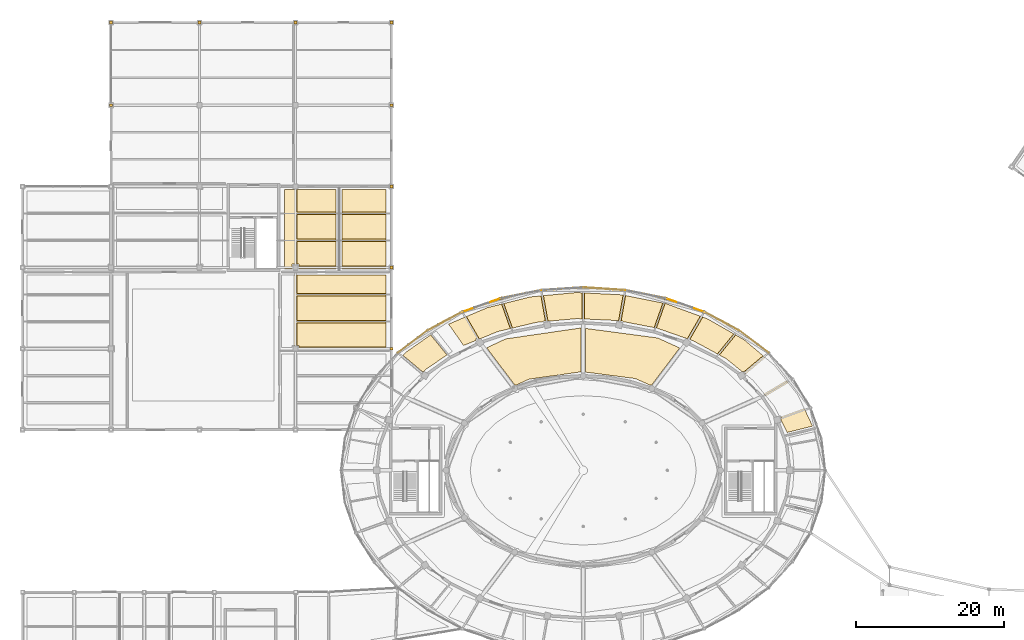
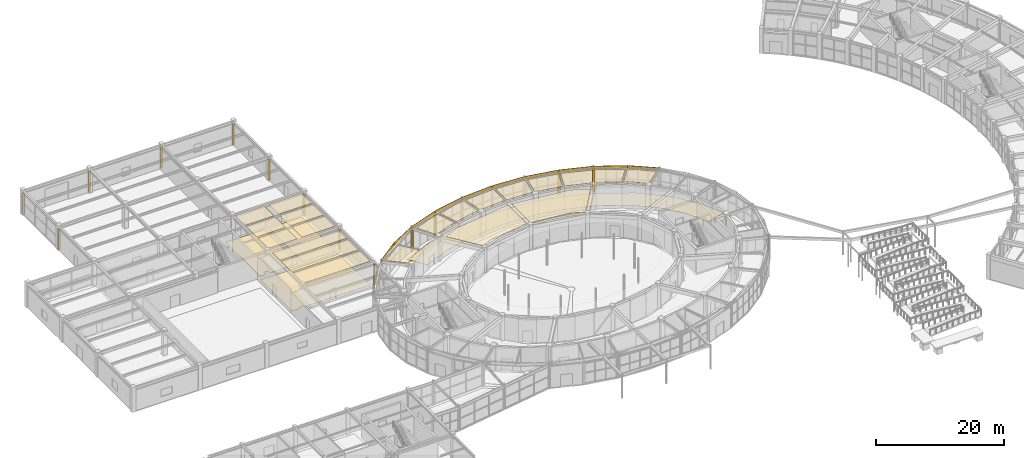
# One storey, part 105 of 108: 47 coverings.
"""IFC4 building model written with IfcOpenShell, lengths in metres."""

from ifc_helpers import new_model, si_unit, direction, frame, frame_2d, origin, origin_2d, place, context, subcontext, project, spatial, polyline, rectangle, outline, extrude, material, layer, layer_set, type_object, element, save


model = new_model("IFC4")

# Units and contexts
model_context = context("Model", 3, precision=1e-05, world=origin(), true_north=direction((0.0, 1.0)))
body_context = subcontext(model_context, "Body", "Model", "MODEL_VIEW")
ifc_project = project(units=[si_unit("LENGTHUNIT", "METRE"), si_unit("AREAUNIT", "SQUARE_METRE"), si_unit("VOLUMEUNIT", "CUBIC_METRE"), si_unit("PLANEANGLEUNIT", "RADIAN"), si_unit("MASSUNIT", "GRAM", prefix="KILO")], contexts=[model_context])

# Site, building, storey
site_placement = place(None, origin())
site = spatial("IfcSite", under=ifc_project, at=site_placement, CompositionType="ELEMENT")
building_placement = place(site_placement, origin())
building = spatial("IfcBuilding", under=site, at=building_placement, Name="Tarnveldt Headland Concert Hall", CompositionType="ELEMENT")
storey_placement = place(building_placement, origin())
storey = spatial("IfcBuildingStorey", under=building, at=storey_placement, Name="L00", CompositionType="ELEMENT", Elevation=0.0)

# Coverings
ifc_material_1 = material(Name="Micro-perforated mvule acoustic ceiling panel", Category="timber")
ifc_layer_1 = layer(ifc_material_1, 0.050048828125, Name="Micro-perforated mvule acoustic ceiling panel", Category="timber")
ifc_layer_set_1 = layer_set([ifc_layer_1], Name="Micro-perforated mvule acoustic ceiling panel")
covering_type_1 = type_object("IfcCoveringType", Name="CV-CEIL50", PredefinedType="CEILING", material=ifc_layer_set_1)
covering_1_placement = place(storey_placement, frame((0.0, 0.0, 4.469970703125)))
element("IfcCovering", 1, at=covering_1_placement, inside=storey, type_object=covering_type_1, Name="Acoustic mvule ceiling L00-11-11", PredefinedType="CEILING", context=body_context, shape_type="SweptSolid", body=[
    extrude(outline(polyline([(90.525146484375, 66.949462890625), (84.0, 67.794677734375), (84.0, 67.800048828125), (83.95947265625, 67.800048828125), (83.804931640625, 67.820068359375), (83.804931640625, 73.74560546875), (93.58447265625, 72.45263671875), (96.5703125, 71.093994140625), (92.794921875, 66.085205078125), (92.482421875, 66.085205078125), (90.575439453125, 66.935302734375), (90.55908203125, 66.941650390625), (90.54248046875, 66.9462890625), (90.525146484375, 66.949462890625)])), origin(), (0.0, 0.0, 1.0), 0.050048828125),
])
covering_2_placement = place(storey_placement, frame((0.0, 0.0, 4.469970703125)))
element("IfcCovering", 2, at=covering_2_placement, inside=storey, type_object=covering_type_1, Name="Acoustic mvule ceiling L00-11-12", PredefinedType="CEILING", context=body_context, shape_type="SweptSolid", body=[
    extrude(outline(polyline([(76.114990234375, 66.847412109375), (74.46875, 66.085205078125), (74.205078125, 66.085205078125), (70.413818359375, 71.114990234375), (72.973388671875, 72.324951171875), (83.195068359375, 73.80810546875), (83.195068359375, 67.861572265625), (76.165283203125, 66.8623046875), (76.148193359375, 66.859130859375), (76.13134765625, 66.85400390625), (76.114990234375, 66.847412109375)])), origin(), (0.0, 0.0, 1.0), 0.050048828125),
])
covering_3_placement = place(storey_placement, frame((0.0, 0.0, 4.469970703125)))
element("IfcCovering", 3, at=covering_3_placement, inside=storey, type_object=covering_type_1, Name="Acoustic mvule ceiling L00-14-27", PredefinedType="CEILING", context=body_context, shape_type="SweptSolid", body=[
    extrude(outline(polyline([(61.85107421875, 67.880859375), (61.697509765625, 67.880859375), (59.072998046875, 70.082763671875), (59.612548828125, 70.62158203125), (62.81494140625, 72.8681640625), (65.04150390625, 70.139892578125), (62.29443359375, 68.2998046875), (62.281982421875, 68.290771484375), (62.2705078125, 68.280517578125), (61.85107421875, 67.880859375)])), origin(), (0.0, 0.0, 1.0), 0.050048828125),
])
covering_4_placement = place(storey_placement, frame((0.0, 0.0, 4.469970703125)))
element("IfcCovering", 4, at=covering_4_placement, inside=storey, type_object=covering_type_1, Name="Acoustic mvule ceiling L00-15-31", PredefinedType="CEILING", context=body_context, shape_type="SweptSolid", body=[
    extrude(outline(polyline([(105.04931640625, 67.880859375), (102.87255859375, 69.632568359375), (102.859619140625, 69.64208984375), (102.845703125, 69.650390625), (101.95458984375, 70.13525390625), (104.1728515625, 72.853515625), (105.30126953125, 72.210205078125), (107.8759765625, 70.039794921875), (105.302490234375, 67.880859375), (105.04931640625, 67.880859375)])), origin(), (0.0, 0.0, 1.0), 0.050048828125),
])
covering_5_placement = place(storey_placement, frame((0.0, 0.0, 4.469970703125)))
element("IfcCovering", 5, at=covering_5_placement, inside=storey, type_object=covering_type_1, Name="Acoustic mvule ceiling L00-15-32", PredefinedType="CEILING", context=body_context, shape_type="SweptSolid", body=[
    extrude(outline(polyline([(103.899658203125, 73.009033203125), (101.677490234375, 70.2861328125), (98.46728515625, 72.033203125), (98.454345703125, 72.039794921875), (98.44091796875, 72.044921875), (98.02490234375, 72.19091796875), (98.02490234375, 72.345458984375), (98.005126953125, 72.345458984375), (99.695556640625, 75.273193359375), (100.348388671875, 75.033203125), (103.899658203125, 73.009033203125)])), origin(), (0.0, 0.0, 1.0), 0.050048828125),
])
covering_6_placement = place(storey_placement, frame((0.0, 0.0, 4.469970703125)))
element("IfcCovering", 6, at=covering_6_placement, inside=storey, type_object=covering_type_1, Name="Acoustic mvule ceiling L00-15-33", PredefinedType="CEILING", context=body_context, shape_type="SweptSolid", body=[
    extrude(outline(polyline([(99.3623046875, 75.39599609375), (97.60107421875, 72.345458984375), (97.585205078125, 72.345458984375), (93.505615234375, 73.77783203125), (93.492919921875, 73.781982421875), (93.479736328125, 73.784912109375), (93.4189453125, 73.796630859375), (94.595703125, 77.120849609375), (94.7626953125, 77.08740234375), (99.3623046875, 75.39599609375)])), origin(), (0.0, 0.0, 1.0), 0.050048828125),
])
covering_7_placement = place(storey_placement, frame((0.0, 0.0, 4.469970703125)))
element("IfcCovering", 7, at=covering_7_placement, inside=storey, type_object=covering_type_1, Name="Acoustic mvule ceiling L00-15-34", PredefinedType="CEILING", context=body_context, shape_type="SweptSolid", body=[
    extrude(outline(polyline([(88.88720703125, 74.665771484375), (88.88720703125, 74.72119140625), (88.63232421875, 74.72119140625), (89.2451171875, 78.19580078125), (94.288818359375, 77.1826171875), (93.111083984375, 73.855712890625), (88.88720703125, 74.665771484375)])), origin(), (0.0, 0.0, 1.0), 0.050048828125),
])
covering_8_placement = place(storey_placement, frame((0.0, 0.0, 4.469970703125)))
element("IfcCovering", 8, at=covering_8_placement, inside=storey, type_object=covering_type_1, Name="Acoustic mvule ceiling L00-15-35", PredefinedType="CEILING", context=body_context, shape_type="SweptSolid", body=[
    extrude(outline(polyline([(88.90185546875, 78.2646484375), (88.28759765625, 74.78076171875), (88.17236328125, 74.802978515625), (88.147216796875, 74.805908203125), (83.655029296875, 75.02294921875), (83.655029296875, 78.552734375), (88.7529296875, 78.294677734375), (88.90185546875, 78.2646484375)])), origin(), (0.0, 0.0, 1.0), 0.050048828125),
])
covering_9_placement = place(storey_placement, frame((0.0, 0.0, 4.469970703125)))
element("IfcCovering", 9, at=covering_9_placement, inside=storey, type_object=covering_type_1, Name="Acoustic mvule ceiling L00-15-36", PredefinedType="CEILING", context=body_context, shape_type="SweptSolid", body=[
    extrude(outline(polyline([(78.1123046875, 78.1845703125), (82.5458984375, 78.60888671875), (83.344970703125, 78.568359375), (83.344970703125, 75.0380859375), (82.666259765625, 75.07080078125), (82.64111328125, 75.0703125), (78.821533203125, 74.72119140625), (78.72314453125, 74.72119140625), (78.1123046875, 78.1845703125)])), origin(), (0.0, 0.0, 1.0), 0.050048828125),
])
covering_10_placement = place(storey_placement, frame((0.0, 0.0, 4.469970703125)))
element("IfcCovering", 10, at=covering_10_placement, inside=storey, type_object=covering_type_1, Name="Acoustic mvule ceiling L00-15-37", PredefinedType="CEILING", context=body_context, shape_type="SweptSolid", body=[
    extrude(outline(polyline([(77.166259765625, 74.568115234375), (73.911376953125, 73.79248046875), (72.73681640625, 77.110595703125), (76.37451171875, 78.018310546875), (77.7626953125, 78.151123046875), (78.36767578125, 74.72119140625), (78.11279296875, 74.72119140625), (78.11279296875, 74.656494140625), (77.191650390625, 74.572265625), (77.166259765625, 74.568115234375)])), origin(), (0.0, 0.0, 1.0), 0.050048828125),
])
covering_11_placement = place(storey_placement, frame((0.0, 0.0, 4.469970703125)))
element("IfcCovering", 11, at=covering_11_placement, inside=storey, type_object=covering_type_1, Name="Acoustic mvule ceiling L00-15-38", PredefinedType="CEILING", context=body_context, shape_type="SweptSolid", body=[
    extrude(outline(polyline([(71.92626953125, 73.317626953125), (69.529541015625, 72.345458984375), (69.39892578125, 72.345458984375), (67.6630859375, 75.352294921875), (70.47119140625, 76.545166015625), (72.434814453125, 77.03515625), (73.60791015625, 73.720458984375), (71.952392578125, 73.325927734375), (71.939208984375, 73.322265625), (71.92626953125, 73.317626953125)])), origin(), (0.0, 0.0, 1.0), 0.050048828125),
])
covering_12_placement = place(storey_placement, frame((0.0, 0.0, 4.469970703125)))
element("IfcCovering", 12, at=covering_12_placement, inside=storey, type_object=covering_type_1, Name="Acoustic mvule ceiling L00-28-76", PredefinedType="CEILING", context=body_context, shape_type="SweptSolid", body=[
    extrude(outline(polyline([(44.72998046875, 71.449951171875), (44.72998046875, 74.501953125), (56.77001953125, 74.501953125), (56.77001953125, 71.22998046875), (44.949951171875, 71.22998046875), (44.949951171875, 71.449951171875), (44.72998046875, 71.449951171875)])), origin(), (0.0, 0.0, 1.0), 0.050048828125),
])
covering_13_placement = place(storey_placement, frame((0.0, 0.0, 4.469970703125)))
element("IfcCovering", 13, at=covering_13_placement, inside=storey, type_object=covering_type_1, Name="Acoustic mvule ceiling L00-28-77", PredefinedType="CEILING", context=body_context, shape_type="SweptSolid", body=[
    extrude(outline(polyline([(56.77001953125, 78.498046875), (44.72998046875, 78.498046875), (44.72998046875, 80.969970703125), (56.77001953125, 80.969970703125), (56.77001953125, 78.498046875)])), origin(), (0.0, 0.0, 1.0), 0.050048828125),
])
covering_14_placement = place(storey_placement, frame((0.0, 0.0, 4.469970703125)))
element("IfcCovering", 14, at=covering_14_placement, inside=storey, type_object=covering_type_1, Name="Acoustic mvule ceiling L00-28-78", PredefinedType="CEILING", context=body_context, shape_type="SweptSolid", body=[
    extrude(outline(polyline([(44.72998046875, 74.83203125), (44.72998046875, 78.16796875), (56.77001953125, 78.16796875), (56.77001953125, 74.83203125), (44.72998046875, 74.83203125)])), origin(), (0.0, 0.0, 1.0), 0.050048828125),
])
covering_15_placement = place(storey_placement, frame((0.0, 0.0, 4.469970703125)))
element("IfcCovering", 15, at=covering_15_placement, inside=storey, type_object=covering_type_1, Name="Acoustic mvule ceiling L00-33-93", PredefinedType="CEILING", context=body_context, shape_type="SweptSolid", body=[
    extrude(outline(polyline([(44.72998046875, 82.449951171875), (44.72998046875, 85.501953125), (49.969970703125, 85.501953125), (49.969970703125, 82.22998046875), (44.949951171875, 82.22998046875), (44.949951171875, 82.449951171875), (44.72998046875, 82.449951171875)])), origin(), (0.0, 0.0, 1.0), 0.050048828125),
])
covering_16_placement = place(storey_placement, frame((0.0, 0.0, 4.469970703125)))
element("IfcCovering", 16, at=covering_16_placement, inside=storey, type_object=covering_type_1, Name="Acoustic mvule ceiling L00-33-94", PredefinedType="CEILING", context=body_context, shape_type="SweptSolid", body=[
    extrude(outline(polyline([(44.949951171875, 92.570068359375), (49.969970703125, 92.570068359375), (49.969970703125, 89.498046875), (44.72998046875, 89.498046875), (44.72998046875, 92.550048828125), (44.949951171875, 92.550048828125), (44.949951171875, 92.570068359375)])), origin(), (0.0, 0.0, 1.0), 0.050048828125),
])
covering_17_placement = place(storey_placement, frame((0.0, 0.0, 4.469970703125)))
element("IfcCovering", 17, at=covering_17_placement, inside=storey, type_object=covering_type_1, Name="Acoustic mvule ceiling L00-33-95", PredefinedType="CEILING", context=body_context, shape_type="SweptSolid", body=[
    extrude(outline(polyline([(44.72998046875, 85.83203125), (44.72998046875, 89.16796875), (49.969970703125, 89.16796875), (49.969970703125, 85.83203125), (44.72998046875, 85.83203125)])), origin(), (0.0, 0.0, 1.0), 0.050048828125),
])
covering_18_placement = place(storey_placement, frame((0.0, 0.0, 4.469970703125)))
element("IfcCovering", 18, at=covering_18_placement, inside=storey, type_object=covering_type_1, Name="Acoustic mvule ceiling L00-34-96", PredefinedType="CEILING", context=body_context, shape_type="SweptSolid", body=[
    extrude(outline(polyline([(50.830078125, 89.498046875), (50.830078125, 92.570068359375), (56.77001953125, 92.570068359375), (56.77001953125, 89.498046875), (50.830078125, 89.498046875)])), origin(), (0.0, 0.0, 1.0), 0.050048828125),
])
covering_19_placement = place(storey_placement, frame((0.0, 0.0, 4.469970703125)))
element("IfcCovering", 19, at=covering_19_placement, inside=storey, type_object=covering_type_1, Name="Acoustic mvule ceiling L00-34-97", PredefinedType="CEILING", context=body_context, shape_type="SweptSolid", body=[
    extrude(outline(polyline([(50.830078125, 85.83203125), (50.830078125, 89.16796875), (56.77001953125, 89.16796875), (56.77001953125, 85.83203125), (50.830078125, 85.83203125)])), origin(), (0.0, 0.0, 1.0), 0.050048828125),
])
covering_20_placement = place(storey_placement, frame((0.0, 0.0, 4.469970703125)))
element("IfcCovering", 20, at=covering_20_placement, inside=storey, type_object=covering_type_1, Name="Acoustic mvule ceiling L00-34-98", PredefinedType="CEILING", context=body_context, shape_type="SweptSolid", body=[
    extrude(outline(polyline([(50.830078125, 85.501953125), (56.77001953125, 85.501953125), (56.77001953125, 82.22998046875), (50.830078125, 82.22998046875), (50.830078125, 85.501953125)])), origin(), (0.0, 0.0, 1.0), 0.050048828125),
])
ifc_material_2 = material(Name="Treated East African mvule hardwood", Category="wood")
ifc_layer_2 = layer(ifc_material_2, 0.044921875, Name="Treated East African mvule hardwood", Category="wood")
ifc_layer_set_2 = layer_set([ifc_layer_2], Name="Treated East African mvule hardwood")
covering_type_2 = type_object("IfcCoveringType", Name="CV-CLAD45", PredefinedType="CLADDING", material=ifc_layer_set_2)
covering_21_placement = place(storey_placement, frame((108.626220703125, 70.441162109375, 4.219970703125), z_axis=(0.0, 0.0, 1.0), x_axis=(-0.797664418204, 0.603101546948, 0.0)))
element("IfcCovering", 21, at=covering_21_placement, inside=storey, type_object=covering_type_2, Name="Mvule hardwood fascia band L00-5", PredefinedType="CLADDING", context=body_context, shape_type="SweptSolid", body=[
    extrude(rectangle(XDim=5.068115234375, YDim=0.044921875, at=frame_2d((2.5341796875, 0.0))), origin(), (0.0, 0.0, 1.0), 0.52001953125),
])
covering_22_placement = place(storey_placement, frame((104.58349609375, 73.497802734375, 4.219970703125), z_axis=(0.0, 0.0, 1.0), x_axis=(-0.88379239872, 0.467879253617, 0.0)))
element("IfcCovering", 22, at=covering_22_placement, inside=storey, type_object=covering_type_2, Name="Mvule hardwood fascia band L00-6", PredefinedType="CLADDING", context=body_context, shape_type="SweptSolid", body=[
    extrude(rectangle(XDim=5.29931640625, YDim=0.044921875, at=frame_2d((2.649658203125, 0.0))), origin(), (0.0, 0.0, 1.0), 0.52001953125),
])
covering_23_placement = place(storey_placement, frame((99.89990234375, 75.977294921875, 4.219970703125), z_axis=(0.0, 0.0, 1.0), x_axis=(-0.943085453999, 0.332550487077, 0.0)))
element("IfcCovering", 23, at=covering_23_placement, inside=storey, type_object=covering_type_2, Name="Mvule hardwood fascia band L00-7", PredefinedType="CLADDING", context=body_context, shape_type="SweptSolid", body=[
    extrude(rectangle(XDim=5.494384765625, YDim=0.044921875, at=frame_2d((2.7470703125, 0.0))), origin(), (0.0, 0.0, 1.0), 0.52001953125),
])
covering_24_placement = place(storey_placement, frame((94.71826171875, 77.804443359375, 4.219970703125), z_axis=(0.0, 0.0, 1.0), x_axis=(-0.980094417088, 0.198531946026, 0.0)))
element("IfcCovering", 24, at=covering_24_placement, inside=storey, type_object=covering_type_2, Name="Mvule hardwood fascia band L00-8", PredefinedType="CLADDING", context=body_context, shape_type="SweptSolid", body=[
    extrude(rectangle(XDim=5.634521484375, YDim=0.044921875, at=frame_2d((2.8173828125, 0.0))), origin(), (0.0, 0.0, 1.0), 0.52001953125),
])
for number, where, z_axis, x_axis, name in (
    (25, (89.19580078125, 78.923095703125, 4.219970703125), (0.0, 0.0, 1.0), (-0.997817213059, 0.066036424216, 0.0), "Mvule hardwood fascia band L00-9"),
    (26, (83.5, 79.300048828125, 4.219970703125), (0.0, 0.0, 1.0), (-0.997817213059, -0.066036424216, 0.0), "Mvule hardwood fascia band L00-10"),
):
    element("IfcCovering", number, at=place(storey_placement, frame(where, z_axis=z_axis, x_axis=x_axis)), inside=storey, type_object=covering_type_2, Name=name, PredefinedType="CLADDING", context=body_context, shape_type="SweptSolid", body=[
        extrude(rectangle(XDim=5.708251953125, YDim=0.044921875, at=frame_2d((2.85400390625, 0.0))), origin(), (0.0, 0.0, 1.0), 0.52001953125),
    ])
covering_25_placement = place(storey_placement, frame((77.80419921875, 78.923095703125, 4.219970703125), z_axis=(0.0, 0.0, 1.0), x_axis=(-0.980094417088, -0.198531946026, 0.0)))
element("IfcCovering", 27, at=covering_25_placement, inside=storey, type_object=covering_type_2, Name="Mvule hardwood fascia band L00-11", PredefinedType="CLADDING", context=body_context, shape_type="SweptSolid", body=[
    extrude(rectangle(XDim=5.634521484375, YDim=0.044921875, at=frame_2d((2.8173828125, 0.0))), origin(), (0.0, 0.0, 1.0), 0.52001953125),
])
covering_26_placement = place(storey_placement, frame((72.28173828125, 77.804443359375, 4.219970703125), z_axis=(0.0, 0.0, 1.0), x_axis=(-0.943085453999, -0.332550487077, 0.0)))
element("IfcCovering", 28, at=covering_26_placement, inside=storey, type_object=covering_type_2, Name="Mvule hardwood fascia band L00-12", PredefinedType="CLADDING", context=body_context, shape_type="SweptSolid", body=[
    extrude(rectangle(XDim=5.494384765625, YDim=0.044921875, at=frame_2d((2.7470703125, 0.0))), origin(), (0.0, 0.0, 1.0), 0.52001953125),
])
covering_27_placement = place(storey_placement, frame((67.10009765625, 75.977294921875, 4.219970703125), z_axis=(0.0, 0.0, 1.0), x_axis=(-0.88379239872, -0.467879253617, 0.0)))
element("IfcCovering", 29, at=covering_27_placement, inside=storey, type_object=covering_type_2, Name="Mvule hardwood fascia band L00-13", PredefinedType="CLADDING", context=body_context, shape_type="SweptSolid", body=[
    extrude(rectangle(XDim=5.29931640625, YDim=0.044921875, at=frame_2d((2.649658203125, 0.0))), origin(), (0.0, 0.0, 1.0), 0.52001953125),
])
covering_28_placement = place(storey_placement, frame((62.41650390625, 73.497802734375, 4.219970703125), z_axis=(0.0, 0.0, 1.0), x_axis=(-0.797664418204, -0.603101546948, 0.0)))
element("IfcCovering", 30, at=covering_28_placement, inside=storey, type_object=covering_type_2, Name="Mvule hardwood fascia band L00-14", PredefinedType="CLADDING", context=body_context, shape_type="SweptSolid", body=[
    extrude(rectangle(XDim=5.068115234375, YDim=0.044921875, at=frame_2d((2.5341796875, 0.0))), origin(), (0.0, 0.0, 1.0), 0.52001953125),
])
ifc_material_3 = material(Name="Polished coral-aggregate cementitious terrazzo flooring", Category="concrete")
ifc_layer_3 = layer(ifc_material_3, 0.034912109375, Name="Polished coral-aggregate cementitious terrazzo flooring", Category="concrete")
ifc_layer_set_3 = layer_set([ifc_layer_3], Name="Polished coral-aggregate cementitious terrazzo flooring")
covering_type_3 = type_object("IfcCoveringType", Name="CV-FLOR35", PredefinedType="FLOORING", material=ifc_layer_set_3)
covering_29_placement = place(storey_placement, origin())
element("IfcCovering", 31, at=covering_29_placement, inside=storey, type_object=covering_type_3, Name="Architectural flooring L00-15-8", PredefinedType="FLOORING", context=body_context, shape_type="SweptSolid", body=[
    extrude(outline(polyline([(109.35693359375, 63.268310546875), (106.556396484375, 66.662841796875), (106.544189453125, 66.676513671875), (106.530517578125, 66.688720703125), (105.47412109375, 67.538818359375), (105.47412109375, 67.880859375), (105.04931640625, 67.880859375), (102.87255859375, 69.632568359375), (102.859619140625, 69.64208984375), (102.845703125, 69.650390625), (98.46728515625, 72.033203125), (98.454345703125, 72.039794921875), (98.44091796875, 72.044921875), (98.02490234375, 72.19091796875), (98.02490234375, 72.345458984375), (97.585205078125, 72.345458984375), (93.505615234375, 73.77783203125), (93.492919921875, 73.781982421875), (93.479736328125, 73.784912109375), (88.88720703125, 74.665771484375), (88.88720703125, 74.72119140625), (88.59814453125, 74.72119140625), (88.17236328125, 74.802978515625), (88.147216796875, 74.805908203125), (82.666259765625, 75.07080078125), (82.64111328125, 75.0703125), (78.821533203125, 74.72119140625), (78.11279296875, 74.72119140625), (78.11279296875, 74.656494140625), (77.191650390625, 74.572265625), (77.166259765625, 74.568115234375), (71.952392578125, 73.325927734375), (71.939208984375, 73.322265625), (71.92626953125, 73.317626953125), (69.529541015625, 72.345458984375), (68.97509765625, 72.345458984375), (68.97509765625, 72.12060546875), (67.275634765625, 71.431396484375), (65.248291015625, 74.32666015625), (70.47119140625, 76.545166015625), (76.37451171875, 78.018310546875), (82.5458984375, 78.60888671875), (88.7529296875, 78.294677734375), (94.7626953125, 77.08740234375), (100.348388671875, 75.033203125), (105.30126953125, 72.210205078125), (109.434814453125, 68.725830078125), (112.595703125, 64.712646484375), (114.584228515625, 60.500244140625), (111.153564453125, 59.64501953125), (110.33642578125, 61.2978515625), (110.33642578125, 61.865478515625), (110.055908203125, 61.865478515625), (109.379638671875, 63.2333984375), (109.369384765625, 63.25146484375), (109.35693359375, 63.268310546875)])), origin(), (0.0, 0.0, 1.0), 0.034912109375),
])
covering_30_placement = place(storey_placement, origin())
element("IfcCovering", 32, at=covering_30_placement, inside=storey, type_object=covering_type_3, Name="Architectural flooring L00-28-21", PredefinedType="FLOORING", context=body_context, shape_type="SweptSolid", body=[
    extrude(outline(polyline([(56.77001953125, 80.969970703125), (56.77001953125, 71.1298828125), (44.949951171875, 71.1298828125), (44.949951171875, 71.449951171875), (44.050048828125, 71.449951171875), (44.050048828125, 71.1298828125), (42.6298828125, 71.1298828125), (42.6298828125, 80.969970703125), (56.77001953125, 80.969970703125)])), origin(), (0.0, 0.0, 1.0), 0.034912109375),
])
covering_31_placement = place(storey_placement, origin())
element("IfcCovering", 33, at=covering_31_placement, inside=storey, type_object=covering_type_3, Name="Architectural flooring L00-33-26", PredefinedType="FLOORING", context=body_context, shape_type="SweptSolid", body=[
    extrude(outline(polyline([(44.050048828125, 92.550048828125), (44.949951171875, 92.550048828125), (44.949951171875, 92.570068359375), (49.969970703125, 92.570068359375), (49.969970703125, 81.830078125), (44.949951171875, 81.830078125), (44.949951171875, 82.449951171875), (44.050048828125, 82.449951171875), (44.050048828125, 81.830078125), (43.030029296875, 81.830078125), (43.030029296875, 92.570068359375), (44.050048828125, 92.570068359375), (44.050048828125, 92.550048828125)])), origin(), (0.0, 0.0, 1.0), 0.034912109375),
])
covering_32_placement = place(storey_placement, origin())
element("IfcCovering", 34, at=covering_32_placement, inside=storey, type_object=covering_type_3, Name="Architectural flooring L00-34-27", PredefinedType="FLOORING", context=body_context, shape_type="SweptSolid", body=[
    extrude(outline(polyline([(50.830078125, 92.570068359375), (56.77001953125, 92.570068359375), (56.77001953125, 81.830078125), (50.830078125, 81.830078125), (50.830078125, 92.570068359375)])), origin(), (0.0, 0.0, 1.0), 0.034912109375),
])
ifc_material_4 = material(Name="Coral-toned precast concrete C40/50", Category="concrete")
ifc_layer_4 = layer(ifc_material_4, 0.360107421875, Name="Coral-toned precast concrete C40/50", Category="concrete")
ifc_layer_set_4 = layer_set([ifc_layer_4], Name="Coral-toned precast concrete C40/50")
covering_type_4 = type_object("IfcCoveringType", Name="CV-JNT360", PredefinedType="CLADDING", material=ifc_layer_set_4)
for number, where, z_axis, x_axis, name in (
    (35, (19.5, 104.0, 0.0), (0.0, 0.0, 1.0), (0.0, 1.0, 0.0), "Precast facade joint closure pilaster L00-123"),
    (36, (19.5, 115.199951171875, 0.0), (0.0, 0.0, 1.0), (1.0, 0.0, 0.0), "Precast facade joint closure pilaster L00-124"),
    (37, (31.5, 115.199951171875, 0.0), (0.0, 0.0, 1.0), (1.0, 0.0, 0.0), "Precast facade joint closure pilaster L00-128"),
    (38, (44.5, 115.199951171875, 0.0), (0.0, 0.0, 1.0), (1.0, 0.0, 0.0), "Precast facade joint closure pilaster L00-137"),
    (39, (57.5, 71.0, 0.0), (0.0, 0.0, 1.0), (0.0, -1.0, 0.0), "Precast facade joint closure pilaster L00-144"),
    (40, (57.5, 82.0, 0.0), (0.0, 0.0, 1.0), (0.0, -1.0, 0.0), "Precast facade joint closure pilaster L00-145"),
    (41, (57.5, 93.0, 0.0), (0.0, 0.0, 1.0), (0.0, -1.0, 0.0), "Precast facade joint closure pilaster L00-146"),
    (42, (57.5, 104.0, 0.0), (0.0, 0.0, 1.0), (0.0, -1.0, 0.0), "Precast facade joint closure pilaster L00-147"),
    (43, (57.5, 115.199951171875, 0.0), (0.0, 0.0, 1.0), (0.0, -1.0, 0.0), "Precast facade joint closure pilaster L00-148"),
):
    element("IfcCovering", number, at=place(storey_placement, frame(where, z_axis=z_axis, x_axis=x_axis)), inside=storey, type_object=covering_type_4, Name=name, PredefinedType="CLADDING", context=body_context, shape_type="SweptSolid", body=[
        extrude(rectangle(XDim=0.3798828125, YDim=0.3798828125, at=origin_2d()), origin(), (0.0, 0.0, 1.0), 3.9580078125),
    ])
for number, where, z_axis, x_axis, name in (
    (44, (67.10009765625, 75.977294921875, 0.0), (0.0, 0.0, 1.0), (0.943106654378, 0.33249035846, 0.0), "Precast facade joint closure pilaster L00-150"),
    (45, (72.28173828125, 77.804443359375, 0.0), (0.0, 0.0, 1.0), (0.943106654378, 0.33249035846, 0.0), "Precast facade joint closure pilaster L00-152"),
    (46, (94.71826171875, 77.804443359375, 0.0), (0.0, 0.0, 1.0), (0.943106654378, -0.33249035846, 0.0), "Precast facade joint closure pilaster L00-154"),
    (47, (99.89990234375, 75.977294921875, 0.0), (0.0, 0.0, 1.0), (0.943106654378, -0.33249035846, 0.0), "Precast facade joint closure pilaster L00-156"),
):
    element("IfcCovering", number, at=place(storey_placement, frame(where, z_axis=z_axis, x_axis=x_axis)), inside=storey, type_object=covering_type_4, Name=name, PredefinedType="CLADDING", context=body_context, shape_type="SweptSolid", body=[
        extrude(rectangle(XDim=0.3798828125, YDim=0.3798828125, at=origin_2d()), origin(), (0.0, 0.0, 1.0), 4.05810546875),
    ])

save(model, "model.ifc")
